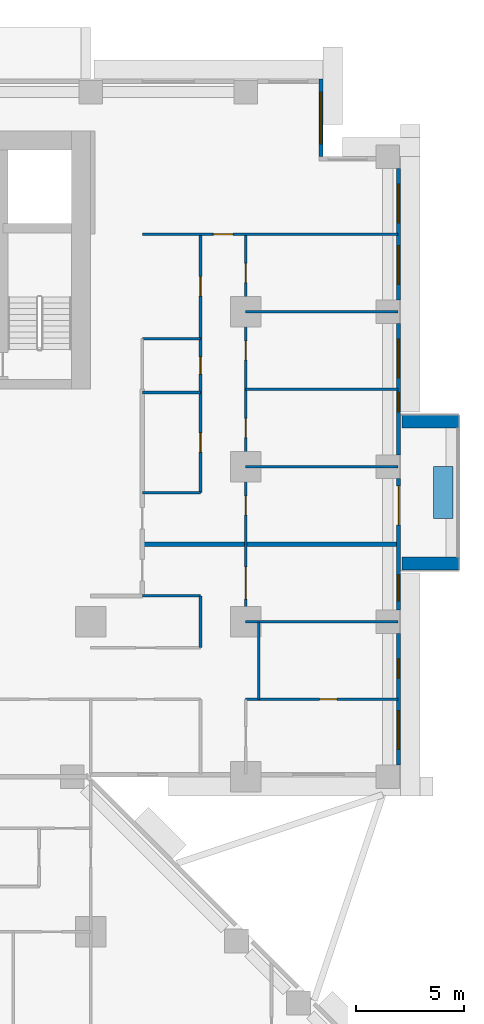
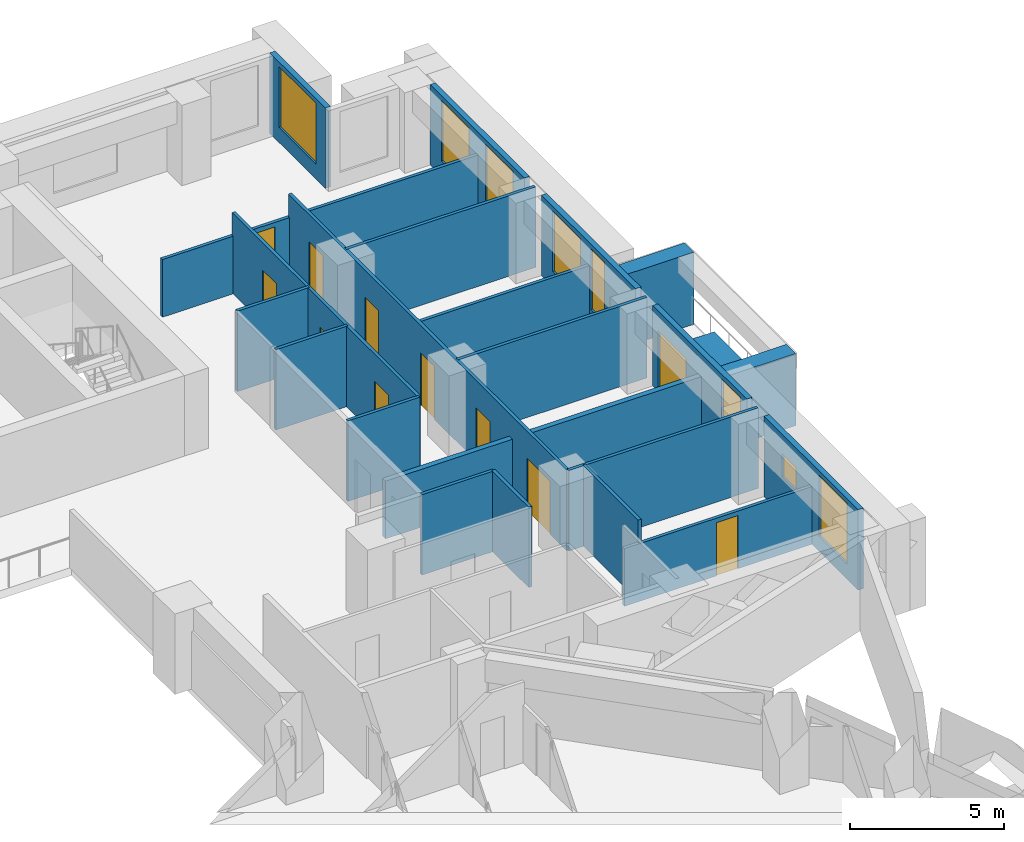
# One storey, part 12 of 17: 23 walls, 11 doors, 8 windows, 19 openings.
"""IFC4 building model written with IfcOpenShell, lengths in metres."""

from ifc_helpers import new_model, si_unit, direction, frame, frame_2d, origin, place, context, subcontext, project, spatial, rectangle, extrude, material, layer, layer_set, type_object, element, fill, save


model = new_model("IFC4")

# Units and contexts
model_context = context("Model", 3, precision=1e-05, world=origin(), true_north=direction((0.0, 1.0)))
body_context = subcontext(model_context, "Body", "Model", "MODEL_VIEW")
ifc_project = project(units=[si_unit("LENGTHUNIT", "METRE"), si_unit("AREAUNIT", "SQUARE_METRE"), si_unit("VOLUMEUNIT", "CUBIC_METRE"), si_unit("PLANEANGLEUNIT", "RADIAN"), si_unit("MASSUNIT", "GRAM", prefix="KILO")], contexts=[model_context])

# Site, building, storey
site_placement = place(None, origin())
site = spatial("IfcSite", under=ifc_project, at=site_placement, CompositionType="ELEMENT")
building_placement = place(site_placement, origin())
building = spatial("IfcBuilding", under=site, at=building_placement, Name="Saffron Iwan Residences", CompositionType="ELEMENT")
storey_placement = place(building_placement, frame((0.0, 0.0, 34.0)))
storey = spatial("IfcBuildingStorey", under=building, at=storey_placement, Name="L07", CompositionType="ELEMENT", Elevation=34.0)

# Walls
ifc_material_1 = material(Name="Concrete C50/60 white painted", Category="concrete")
ifc_layer_1 = layer(ifc_material_1, 0.60009765625)
ifc_layer_set_1 = layer_set([ifc_layer_1], Name="Concrete C50/60 white painted")
wall_type_1 = type_object("IfcWallType", Name="BALCONY FIN 600", PredefinedType="SOLIDWALL", material=ifc_layer_set_1)
for number, where, z_axis, x_axis, name in (
    (1, (86.449951171875, 57.89990234375, 0.0), (0.0, 0.0, 1.0), (1.0, 0.0, 0.0), "Balcony fin L07 F2-0a"),
    (2, (86.449951171875, 64.5, 0.0), (0.0, 0.0, 1.0), (1.0, 0.0, 0.0), "Balcony fin L07 F2-0b"),
):
    element("IfcWall", number, at=place(storey_placement, frame(where, z_axis=z_axis, x_axis=x_axis)), inside=storey, type_object=wall_type_1, Name=name, PredefinedType="SOLIDWALL", context=body_context, shape_type="SweptSolid", body=[
        extrude(rectangle(XDim=2.650146484375, YDim=0.60009765625, at=frame_2d((1.3251953125, 0.0))), origin(), (0.0, 0.0, 1.0), 2.85009765625),
    ])
ifc_material_2 = material(Name="Concrete C35/45 white painted", Category="concrete")
ifc_layer_2 = layer(ifc_material_2, 0.14990234375)
ifc_layer_set_2 = layer_set([ifc_layer_2], Name="Concrete C35/45 white painted")
wall_type_2 = type_object("IfcWallType", Name="BALCONY PLANTER", PredefinedType="SOLIDWALL", material=ifc_layer_set_2)
wall_1_placement = place(storey_placement, frame((88.375, 60.0, 0.0), z_axis=(0.0, 0.0, 1.0), x_axis=(0.0, 1.0, 0.0)))
element("IfcWall", 3, at=wall_1_placement, inside=storey, type_object=wall_type_2, Name="PLANTER L07 F2-0", PredefinedType="SOLIDWALL", context=body_context, shape_type="SweptSolid", body=[
    extrude(rectangle(XDim=2.39990234375, YDim=0.89990234375, at=frame_2d((1.199951171875, 0.0))), origin(), (0.0, 0.0, 1.0), 0.89990234375),
])

# Wall, openings, windows
ifc_material_3 = material(Name="Concrete C40/50", Category="concrete")
ifc_layer_3 = layer(ifc_material_3, 0.199951171875)
ifc_layer_set_3 = layer_set([ifc_layer_3], Name="Concrete C40/50")
wall_type_3 = type_object("IfcWallType", Name="EXTERNAL WALL 200", PredefinedType="SOLIDWALL", material=ifc_layer_set_3)
wall_2_placement = place(storey_placement, frame((86.300048828125, 48.550048828125, 0.0), z_axis=(0.0, 0.0, 1.0), x_axis=(0.0, 1.0, 0.0)))
wall_2 = element("IfcWall", 4, at=wall_2_placement, inside=storey, type_object=wall_type_3, Name="External wall L07 F2.0", PredefinedType="SOLIDWALL", context=body_context, shape_type="SweptSolid", body=[
    extrude(rectangle(XDim=6.099853515625, YDim=0.199951171875, at=frame_2d((3.0498046875, 0.0))), origin(), (0.0, 0.0, 1.0), 3.179931640625),
])
opening_1_placement = place(wall_2_placement, frame((0.72509765625, 0.0, 0.60009765625)))
opening_1 = element("IfcOpeningElement", 5, at=opening_1_placement, cuts=wall_2, Name="Opening W8", PredefinedType="OPENING", context=body_context, shape_type="SweptSolid", body=[
    extrude(rectangle(XDim=1.800048828125, YDim=2.39990234375, at=frame_2d((0.89990234375, 1.199951171875))), frame((0.0, 0.10986328125, 0.0), z_axis=(0.0, -1.0, 0.0), x_axis=(1.0, 0.0, 0.0)), (0.0, 0.0, 1.0), 0.219970703125),
])
opening_2_placement = place(wall_2_placement, frame((4.02490234375, 0.0, 1.5)))
opening_2 = element("IfcOpeningElement", 6, at=opening_2_placement, cuts=wall_2, Name="Opening W6", PredefinedType="OPENING", context=body_context, shape_type="SweptSolid", body=[
    extrude(rectangle(XDim=0.89990234375, YDim=0.89990234375, at=frame_2d((0.449951171875, 0.449951171875))), frame((0.0, 0.10986328125, 0.0), z_axis=(0.0, -1.0, 0.0), x_axis=(1.0, 0.0, 0.0)), (0.0, 0.0, 1.0), 0.219970703125),
])
ifc_material_4 = material(Name="Clear glass, laminated double glazed", Category="glass")
window_type_1 = type_object("IfcWindowType", Name="WINDOW 1800 x 2400", PartitioningType="DOUBLE_PANEL_VERTICAL", PredefinedType="WINDOW", material=ifc_material_4)
window_1_placement = place(opening_1_placement, origin())
window_1 = element("IfcWindow", 7, at=window_1_placement, inside=storey, type_object=window_type_1, Name="Window L07 F2.0", OverallHeight=2.39990234375, OverallWidth=1.800048828125, PartitioningType="DOUBLE_PANEL_VERTICAL", PredefinedType="WINDOW", context=body_context, shape_type="SweptSolid", body=[
    extrude(rectangle(XDim=1.800048828125, YDim=2.39990234375, at=frame_2d((0.89990234375, 1.199951171875))), frame((0.0, 0.030029296875, 0.0), z_axis=(0.0, -1.0, 0.0), x_axis=(1.0, 0.0, 0.0)), (0.0, 0.0, 1.0), 0.06005859375),
])
fill(opening_1, window_1)
window_type_2 = type_object("IfcWindowType", Name="WINDOW 900 x 900 BATH", PartitioningType="SINGLE_PANEL", PredefinedType="WINDOW", material=ifc_material_4)
window_2_placement = place(opening_2_placement, origin())
window_2 = element("IfcWindow", 8, at=window_2_placement, inside=storey, type_object=window_type_2, Name="Window L07 F2.1", OverallHeight=0.89990234375, OverallWidth=0.89990234375, PartitioningType="SINGLE_PANEL", PredefinedType="WINDOW", context=body_context, shape_type="SweptSolid", body=[
    extrude(rectangle(XDim=0.89990234375, YDim=0.89990234375, at=frame_2d((0.449951171875, 0.449951171875))), frame((0.0, 0.030029296875, 0.0), z_axis=(0.0, -1.0, 0.0), x_axis=(1.0, 0.0, 0.0)), (0.0, 0.0, 1.0), 0.06005859375),
])
fill(opening_2, window_2)

# Wall, openings, door, window
wall_3_placement = place(storey_placement, frame((86.300048828125, 55.75, 0.0), z_axis=(0.0, 0.0, 1.0), x_axis=(0.0, 1.0, 0.0)))
wall_3 = element("IfcWall", 9, at=wall_3_placement, inside=storey, type_object=wall_type_3, Name="External wall L07 F2.1", PredefinedType="SOLIDWALL", context=body_context, shape_type="SweptSolid", body=[
    extrude(rectangle(XDim=6.10009765625, YDim=0.199951171875, at=frame_2d((3.050048828125, 0.0))), origin(), (0.0, 0.0, 1.0), 3.179931640625),
])
opening_3_placement = place(wall_3_placement, frame((3.949951171875, 0.0, 0.0)))
opening_3 = element("IfcOpeningElement", 10, at=opening_3_placement, cuts=wall_3, Name="Opening BD1", PredefinedType="OPENING", context=body_context, shape_type="SweptSolid", body=[
    extrude(rectangle(XDim=1.800048828125, YDim=2.39990234375, at=frame_2d((0.89990234375, 1.199951171875))), frame((0.0, 0.10986328125, 0.0), z_axis=(0.0, -1.0, 0.0), x_axis=(1.0, 0.0, 0.0)), (0.0, 0.0, 1.0), 0.219970703125),
])
opening_4_placement = place(wall_3_placement, frame((0.425048828125, 0.0, 0.60009765625)))
opening_4 = element("IfcOpeningElement", 11, at=opening_4_placement, cuts=wall_3, Name="Opening W3", PredefinedType="OPENING", context=body_context, shape_type="SweptSolid", body=[
    extrude(rectangle(XDim=1.199951171875, YDim=2.39990234375, at=frame_2d((0.60009765625, 1.199951171875))), frame((0.0, 0.10986328125, 0.0), z_axis=(0.0, -1.0, 0.0), x_axis=(1.0, 0.0, 0.0)), (0.0, 0.0, 1.0), 0.219970703125),
])
door_type_1 = type_object("IfcDoorType", Name="BALCONY DOOR 1800 x 2400", OperationType="DOUBLE_DOOR_SLIDING", PredefinedType="DOOR", material=ifc_material_4)
door_1_placement = place(opening_3_placement, origin())
door_1 = element("IfcDoor", 12, at=door_1_placement, inside=storey, type_object=door_type_1, Name="Balcony door L07 F2.0", OperationType="DOUBLE_DOOR_SLIDING", OverallHeight=2.39990234375, OverallWidth=1.800048828125, PredefinedType="DOOR", context=body_context, shape_type="SweptSolid", body=[
    extrude(rectangle(XDim=1.800048828125, YDim=2.39990234375, at=frame_2d((0.89990234375, 1.199951171875))), frame((0.0, 0.02490234375, 0.0), z_axis=(0.0, -1.0, 0.0), x_axis=(1.0, 0.0, 0.0)), (0.0, 0.0, 1.0), 0.050048828125),
])
fill(opening_3, door_1)
window_type_3 = type_object("IfcWindowType", Name="WINDOW 1200 x 2400", PartitioningType="SINGLE_PANEL", PredefinedType="WINDOW", material=ifc_material_4)
window_3_placement = place(opening_4_placement, origin())
window_3 = element("IfcWindow", 13, at=window_3_placement, inside=storey, type_object=window_type_3, Name="Window L07 F2.1", OverallHeight=2.39990234375, OverallWidth=1.199951171875, PartitioningType="SINGLE_PANEL", PredefinedType="WINDOW", context=body_context, shape_type="SweptSolid", body=[
    extrude(rectangle(XDim=1.199951171875, YDim=2.39990234375, at=frame_2d((0.60009765625, 1.199951171875))), frame((0.0, 0.030029296875, 0.0), z_axis=(0.0, -1.0, 0.0), x_axis=(1.0, 0.0, 0.0)), (0.0, 0.0, 1.0), 0.06005859375),
])
fill(opening_4, window_3)

# Wall, openings, windows
wall_4_placement = place(storey_placement, frame((86.300048828125, 62.949951171875, 0.0), z_axis=(0.0, 0.0, 1.0), x_axis=(0.0, 1.0, 0.0)))
wall_4 = element("IfcWall", 14, at=wall_4_placement, inside=storey, type_object=wall_type_3, Name="External wall L07 F2.2", PredefinedType="SOLIDWALL", context=body_context, shape_type="SweptSolid", body=[
    extrude(rectangle(XDim=6.10009765625, YDim=0.199951171875, at=frame_2d((3.050048828125, 0.0))), origin(), (0.0, 0.0, 1.0), 3.179931640625),
])
opening_5_placement = place(wall_4_placement, frame((2.0, 0.0, 0.60009765625)))
opening_5 = element("IfcOpeningElement", 15, at=opening_5_placement, cuts=wall_4, Name="Opening W10", PredefinedType="OPENING", context=body_context, shape_type="SweptSolid", body=[
    extrude(rectangle(XDim=0.89990234375, YDim=2.39990234375, at=frame_2d((0.449951171875, 1.199951171875))), frame((0.0, 0.10986328125, 0.0), z_axis=(0.0, -1.0, 0.0), x_axis=(1.0, 0.0, 0.0)), (0.0, 0.0, 1.0), 0.219970703125),
])
opening_6_placement = place(wall_4_placement, frame((3.574951171875, 0.0, 0.60009765625)))
opening_6 = element("IfcOpeningElement", 16, at=opening_6_placement, cuts=wall_4, Name="Opening W8", PredefinedType="OPENING", context=body_context, shape_type="SweptSolid", body=[
    extrude(rectangle(XDim=1.800048828125, YDim=2.39990234375, at=frame_2d((0.89990234375, 1.199951171875))), frame((0.0, 0.10986328125, 0.0), z_axis=(0.0, -1.0, 0.0), x_axis=(1.0, 0.0, 0.0)), (0.0, 0.0, 1.0), 0.219970703125),
])
window_4_placement = place(opening_6_placement, origin())
window_4 = element("IfcWindow", 17, at=window_4_placement, inside=storey, type_object=window_type_1, Name="Window L07 F2.1", OverallHeight=2.39990234375, OverallWidth=1.800048828125, PartitioningType="DOUBLE_PANEL_VERTICAL", PredefinedType="WINDOW", context=body_context, shape_type="SweptSolid", body=[
    extrude(rectangle(XDim=1.800048828125, YDim=2.39990234375, at=frame_2d((0.89990234375, 1.199951171875))), frame((0.0, 0.030029296875, 0.0), z_axis=(0.0, -1.0, 0.0), x_axis=(1.0, 0.0, 0.0)), (0.0, 0.0, 1.0), 0.06005859375),
])
fill(opening_6, window_4)
window_type_4 = type_object("IfcWindowType", Name="WINDOW 900 x 2400", PartitioningType="SINGLE_PANEL", PredefinedType="WINDOW", material=ifc_material_4)
window_5_placement = place(opening_5_placement, origin())
window_5 = element("IfcWindow", 18, at=window_5_placement, inside=storey, type_object=window_type_4, Name="Window L07 F2.0", OverallHeight=2.39990234375, OverallWidth=0.89990234375, PartitioningType="SINGLE_PANEL", PredefinedType="WINDOW", context=body_context, shape_type="SweptSolid", body=[
    extrude(rectangle(XDim=0.89990234375, YDim=2.39990234375, at=frame_2d((0.449951171875, 1.199951171875))), frame((0.0, 0.030029296875, 0.0), z_axis=(0.0, -1.0, 0.0), x_axis=(1.0, 0.0, 0.0)), (0.0, 0.0, 1.0), 0.06005859375),
])
fill(opening_5, window_5)

wall_5_placement = place(storey_placement, frame((86.300048828125, 70.14990234375, 0.0), z_axis=(0.0, 0.0, 1.0), x_axis=(0.0, 1.0, 0.0)))
wall_5 = element("IfcWall", 19, at=wall_5_placement, inside=storey, type_object=wall_type_3, Name="External wall L07 F2.3", PredefinedType="SOLIDWALL", context=body_context, shape_type="SweptSolid", body=[
    extrude(rectangle(XDim=6.10009765625, YDim=0.199951171875, at=frame_2d((3.050048828125, 0.0))), origin(), (0.0, 0.0, 1.0), 3.179931640625),
])
opening_7_placement = place(wall_5_placement, frame((0.72509765625, 0.0, 0.60009765625)))
opening_7 = element("IfcOpeningElement", 20, at=opening_7_placement, cuts=wall_5, Name="Opening W8", PredefinedType="OPENING", context=body_context, shape_type="SweptSolid", body=[
    extrude(rectangle(XDim=1.800048828125, YDim=2.39990234375, at=frame_2d((0.89990234375, 1.199951171875))), frame((0.0, 0.10986328125, 0.0), z_axis=(0.0, -1.0, 0.0), x_axis=(1.0, 0.0, 0.0)), (0.0, 0.0, 1.0), 0.219970703125),
])
opening_8_placement = place(wall_5_placement, frame((3.574951171875, 0.0, 0.60009765625)))
opening_8 = element("IfcOpeningElement", 21, at=opening_8_placement, cuts=wall_5, Name="Opening W8", PredefinedType="OPENING", context=body_context, shape_type="SweptSolid", body=[
    extrude(rectangle(XDim=1.800048828125, YDim=2.39990234375, at=frame_2d((0.89990234375, 1.199951171875))), frame((0.0, 0.10986328125, 0.0), z_axis=(0.0, -1.0, 0.0), x_axis=(1.0, 0.0, 0.0)), (0.0, 0.0, 1.0), 0.219970703125),
])
window_6_placement = place(opening_7_placement, origin())
window_6 = element("IfcWindow", 22, at=window_6_placement, inside=storey, type_object=window_type_1, Name="Window L07 F2.0", OverallHeight=2.39990234375, OverallWidth=1.800048828125, PartitioningType="DOUBLE_PANEL_VERTICAL", PredefinedType="WINDOW", context=body_context, shape_type="SweptSolid", body=[
    extrude(rectangle(XDim=1.800048828125, YDim=2.39990234375, at=frame_2d((0.89990234375, 1.199951171875))), frame((0.0, 0.030029296875, 0.0), z_axis=(0.0, -1.0, 0.0), x_axis=(1.0, 0.0, 0.0)), (0.0, 0.0, 1.0), 0.06005859375),
])
fill(opening_7, window_6)
window_7_placement = place(opening_8_placement, origin())
window_7 = element("IfcWindow", 23, at=window_7_placement, inside=storey, type_object=window_type_1, Name="Window L07 F2.1", OverallHeight=2.39990234375, OverallWidth=1.800048828125, PartitioningType="DOUBLE_PANEL_VERTICAL", PredefinedType="WINDOW", context=body_context, shape_type="SweptSolid", body=[
    extrude(rectangle(XDim=1.800048828125, YDim=2.39990234375, at=frame_2d((0.89990234375, 1.199951171875))), frame((0.0, 0.030029296875, 0.0), z_axis=(0.0, -1.0, 0.0), x_axis=(1.0, 0.0, 0.0)), (0.0, 0.0, 1.0), 0.06005859375),
])
fill(opening_8, window_7)

# Wall, opening, window
wall_6_placement = place(storey_placement, frame((82.699951171875, 76.800048828125, 0.0), z_axis=(0.0, 0.0, 1.0), x_axis=(0.0, 1.0, 0.0)))
wall_6 = element("IfcWall", 24, at=wall_6_placement, inside=storey, type_object=wall_type_3, Name="External wall L07 F4.0", PredefinedType="SOLIDWALL", context=body_context, shape_type="SweptSolid", body=[
    extrude(rectangle(XDim=3.599853515625, YDim=0.199951171875, at=frame_2d((1.7998046875, 0.0))), origin(), (0.0, 0.0, 1.0), 3.179931640625),
])
opening_9_placement = place(wall_6_placement, frame((0.60009765625, 0.0, 0.60009765625)))
opening_9 = element("IfcOpeningElement", 25, at=opening_9_placement, cuts=wall_6, Name="Opening W1", PredefinedType="OPENING", context=body_context, shape_type="SweptSolid", body=[
    extrude(rectangle(XDim=2.39990234375, YDim=2.39990234375, at=frame_2d((1.199951171875, 1.199951171875))), frame((0.0, 0.10986328125, 0.0), z_axis=(0.0, -1.0, 0.0), x_axis=(1.0, 0.0, 0.0)), (0.0, 0.0, 1.0), 0.219970703125),
])
window_type_5 = type_object("IfcWindowType", Name="WINDOW 2400 x 2400", PartitioningType="DOUBLE_PANEL_VERTICAL", PredefinedType="WINDOW", material=ifc_material_4)
window_8_placement = place(opening_9_placement, origin())
window_8 = element("IfcWindow", 26, at=window_8_placement, inside=storey, type_object=window_type_5, Name="Window L07 F4.0", OverallHeight=2.39990234375, OverallWidth=2.39990234375, PartitioningType="DOUBLE_PANEL_VERTICAL", PredefinedType="WINDOW", context=body_context, shape_type="SweptSolid", body=[
    extrude(rectangle(XDim=2.39990234375, YDim=2.39990234375, at=frame_2d((1.199951171875, 1.199951171875))), frame((0.0, 0.030029296875, 0.0), z_axis=(0.0, -1.0, 0.0), x_axis=(1.0, 0.0, 0.0)), (0.0, 0.0, 1.0), 0.06005859375),
])
fill(opening_9, window_8)

# Wall
ifc_material_5 = material(Name="Fire-rated gypsum board wall")
ifc_layer_4 = layer(ifc_material_5, 0.199951171875)
ifc_layer_set_4 = layer_set([ifc_layer_4], Name="Fire-rated gypsum board wall")
wall_type_4 = type_object("IfcWallType", Name="Flat demising wall 200", PredefinedType="SOLIDWALL", material=ifc_layer_set_4)
wall_7_placement = place(storey_placement, frame((74.39990234375, 58.800048828125, 0.0), z_axis=(0.0, 0.0, 1.0), x_axis=(1.0, 0.0, 0.0)))
element("IfcWall", 27, at=wall_7_placement, inside=storey, type_object=wall_type_4, Name="W-L07-DEMISE-h58.8-74.4", PredefinedType="SOLIDWALL", context=body_context, shape_type="SweptSolid", body=[
    extrude(rectangle(XDim=11.875, YDim=0.199951171875, at=frame_2d((5.9375, 0.0))), origin(), (0.0, 0.0, 1.0), 2.280029296875),
])

# Wall, opening, door
ifc_material_6 = material(Name="Gypsum board partition")
ifc_layer_5 = layer(ifc_material_6, 0.1201171875)
ifc_layer_set_5 = layer_set([ifc_layer_5], Name="Gypsum board partition")
wall_type_5 = type_object("IfcWallType", Name="Flat partition 120", PredefinedType="PARTITIONING", material=ifc_layer_set_5)
wall_8_placement = place(storey_placement, frame((79.199951171875, 51.60009765625, 0.0), z_axis=(0.0, 0.0, 1.0), x_axis=(1.0, 0.0, 0.0)))
wall_8 = element("IfcWall", 28, at=wall_8_placement, inside=storey, type_object=wall_type_5, Name="W-L07-PART-h51.6-79.2", PredefinedType="PARTITIONING", context=body_context, shape_type="SweptSolid", body=[
    extrude(rectangle(XDim=7.074951171875, YDim=0.1201171875, at=frame_2d((3.53759765625, 0.0))), origin(), (0.0, 0.0, 1.0), 2.280029296875),
])
opening_10_placement = place(wall_8_placement, frame((3.4375, 0.0, 0.0)))
opening_10 = element("IfcOpeningElement", 29, at=opening_10_placement, cuts=wall_8, Name="Opening FD3", PredefinedType="OPENING", context=body_context, shape_type="SweptSolid", body=[
    extrude(rectangle(XDim=0.800048828125, YDim=2.10009765625, at=frame_2d((0.39990234375, 1.050048828125))), frame((0.0, 0.070068359375, 0.0), z_axis=(0.0, -1.0, 0.0), x_axis=(1.0, 0.0, 0.0)), (0.0, 0.0, 1.0), 0.14013671875),
])
ifc_material_7 = material(Name="Timber door", Category="wood")
door_type_2 = type_object("IfcDoorType", Name="Bathroom door 800", OperationType="NOTDEFINED", PredefinedType="DOOR", material=ifc_material_7)
door_2_placement = place(opening_10_placement, origin())
door_2 = element("IfcDoor", 30, at=door_2_placement, inside=storey, type_object=door_type_2, Name="Door L07-023", OperationType="SINGLE_SWING_LEFT", OverallHeight=2.10009765625, OverallWidth=0.800048828125, PredefinedType="DOOR", context=body_context, shape_type="SweptSolid", body=[
    extrude(rectangle(XDim=0.800048828125, YDim=2.10009765625, at=frame_2d((0.39990234375, 1.050048828125))), frame((0.0, 0.02490234375, 0.0), z_axis=(0.0, -1.0, 0.0), x_axis=(1.0, 0.0, 0.0)), (0.0, 0.0, 1.0), 0.050048828125),
])
fill(opening_10, door_2)

# Walls
wall_9_placement = place(storey_placement, frame((79.199951171875, 55.199951171875, 0.0), z_axis=(0.0, 0.0, 1.0), x_axis=(1.0, 0.0, 0.0)))
element("IfcWall", 31, at=wall_9_placement, inside=storey, type_object=wall_type_5, Name="W-L07-PART-h55.2-79.2", PredefinedType="PARTITIONING", context=body_context, shape_type="SweptSolid", body=[
    extrude(rectangle(XDim=7.074951171875, YDim=0.1201171875, at=frame_2d((3.53759765625, 0.0))), origin(), (0.0, 0.0, 1.0), 3.179931640625),
])
for number, where, z_axis, x_axis, name in (
    (32, (74.39990234375, 56.39990234375, 0.0), (0.0, 0.0, 1.0), (1.0, 0.0, 0.0), "W-L07-PART-h56.4-74.4"),
    (33, (74.39990234375, 61.199951171875, 0.0), (0.0, 0.0, 1.0), (1.0, 0.0, 0.0), "W-L07-PART-h61.2-74.4"),
):
    element("IfcWall", number, at=place(storey_placement, frame(where, z_axis=z_axis, x_axis=x_axis)), inside=storey, type_object=wall_type_5, Name=name, PredefinedType="PARTITIONING", context=body_context, shape_type="SweptSolid", body=[
        extrude(rectangle(XDim=2.7001953125, YDim=0.1201171875, at=frame_2d((1.35009765625, 0.0))), origin(), (0.0, 0.0, 1.0), 3.179931640625),
    ])
wall_10_placement = place(storey_placement, frame((79.199951171875, 62.39990234375, 0.0), z_axis=(0.0, 0.0, 1.0), x_axis=(1.0, 0.0, 0.0)))
element("IfcWall", 34, at=wall_10_placement, inside=storey, type_object=wall_type_5, Name="W-L07-PART-h62.4-79.2", PredefinedType="PARTITIONING", context=body_context, shape_type="SweptSolid", body=[
    extrude(rectangle(XDim=7.074951171875, YDim=0.1201171875, at=frame_2d((3.53759765625, 0.0))), origin(), (0.0, 0.0, 1.0), 3.179931640625),
])
wall_11_placement = place(storey_placement, frame((74.39990234375, 65.85009765625, 0.0), z_axis=(0.0, 0.0, 1.0), x_axis=(1.0, 0.0, 0.0)))
element("IfcWall", 35, at=wall_11_placement, inside=storey, type_object=wall_type_5, Name="W-L07-PART-h65.85-74.4", PredefinedType="PARTITIONING", context=body_context, shape_type="SweptSolid", body=[
    extrude(rectangle(XDim=2.7001953125, YDim=0.1201171875, at=frame_2d((1.35009765625, 0.0))), origin(), (0.0, 0.0, 1.0), 3.179931640625),
])
wall_12_placement = place(storey_placement, frame((79.199951171875, 66.0, 0.0), z_axis=(0.0, 0.0, 1.0), x_axis=(1.0, 0.0, 0.0)))
element("IfcWall", 36, at=wall_12_placement, inside=storey, type_object=wall_type_5, Name="W-L07-PART-h66-79.2", PredefinedType="PARTITIONING", context=body_context, shape_type="SweptSolid", body=[
    extrude(rectangle(XDim=7.074951171875, YDim=0.1201171875, at=frame_2d((3.53759765625, 0.0))), origin(), (0.0, 0.0, 1.0), 2.280029296875),
])
wall_13_placement = place(storey_placement, frame((74.39990234375, 68.35009765625, 0.0), z_axis=(0.0, 0.0, 1.0), x_axis=(1.0, 0.0, 0.0)))
element("IfcWall", 37, at=wall_13_placement, inside=storey, type_object=wall_type_5, Name="W-L07-PART-h68.35-74.4", PredefinedType="PARTITIONING", context=body_context, shape_type="SweptSolid", body=[
    extrude(rectangle(XDim=2.7001953125, YDim=0.1201171875, at=frame_2d((1.35009765625, 0.0))), origin(), (0.0, 0.0, 1.0), 3.179931640625),
])
wall_14_placement = place(storey_placement, frame((79.199951171875, 69.60009765625, 0.0), z_axis=(0.0, 0.0, 1.0), x_axis=(1.0, 0.0, 0.0)))
element("IfcWall", 38, at=wall_14_placement, inside=storey, type_object=wall_type_5, Name="W-L07-PART-h69.6-79.2", PredefinedType="PARTITIONING", context=body_context, shape_type="SweptSolid", body=[
    extrude(rectangle(XDim=7.074951171875, YDim=0.1201171875, at=frame_2d((3.53759765625, 0.0))), origin(), (0.0, 0.0, 1.0), 3.179931640625),
])

# Wall, opening, door
wall_15_placement = place(storey_placement, frame((74.39990234375, 73.199951171875, 0.0), z_axis=(0.0, 0.0, 1.0), x_axis=(1.0, 0.0, 0.0)))
wall_15 = element("IfcWall", 39, at=wall_15_placement, inside=storey, type_object=wall_type_5, Name="W-L07-PART-h73.2-74.4", PredefinedType="PARTITIONING", context=body_context, shape_type="SweptSolid", body=[
    extrude(rectangle(XDim=11.875, YDim=0.1201171875, at=frame_2d((5.9375, 0.0))), origin(), (0.0, 0.0, 1.0), 2.280029296875),
])
opening_11_placement = place(wall_15_placement, frame((3.300048828125, 0.0, 0.0)))
opening_11 = element("IfcOpeningElement", 40, at=opening_11_placement, cuts=wall_15, Name="Opening FD2", PredefinedType="OPENING", context=body_context, shape_type="SweptSolid", body=[
    extrude(rectangle(XDim=0.89990234375, YDim=2.10009765625, at=frame_2d((0.449951171875, 1.050048828125))), frame((0.0, 0.070068359375, 0.0), z_axis=(0.0, -1.0, 0.0), x_axis=(1.0, 0.0, 0.0)), (0.0, 0.0, 1.0), 0.14013671875),
])
door_type_3 = type_object("IfcDoorType", Name="Flat door 900", OperationType="NOTDEFINED", PredefinedType="DOOR", material=ifc_material_7)
door_3_placement = place(opening_11_placement, origin())
door_3 = element("IfcDoor", 41, at=door_3_placement, inside=storey, type_object=door_type_3, Name="Door L07-040", OperationType="SINGLE_SWING_LEFT", OverallHeight=2.10009765625, OverallWidth=0.89990234375, PredefinedType="DOOR", context=body_context, shape_type="SweptSolid", body=[
    extrude(rectangle(XDim=0.89990234375, YDim=2.10009765625, at=frame_2d((0.449951171875, 1.050048828125))), frame((0.0, 0.02490234375, 0.0), z_axis=(0.0, -1.0, 0.0), x_axis=(1.0, 0.0, 0.0)), (0.0, 0.0, 1.0), 0.050048828125),
])
fill(opening_11, door_3)

# Wall
wall_16_placement = place(storey_placement, frame((77.10009765625, 54.0, 0.0), z_axis=(0.0, 0.0, 1.0), x_axis=(0.0, 1.0, 0.0)))
element("IfcWall", 42, at=wall_16_placement, inside=storey, type_object=wall_type_5, Name="W-L07-PART-v77.1-54", PredefinedType="PARTITIONING", context=body_context, shape_type="SweptSolid", body=[
    extrude(rectangle(XDim=2.39990234375, YDim=0.1201171875, at=frame_2d((1.199951171875, 0.0))), origin(), (0.0, 0.0, 1.0), 3.179931640625),
])

# Wall, openings, doors
wall_17_placement = place(storey_placement, frame((77.10009765625, 61.199951171875, 0.0), z_axis=(0.0, 0.0, 1.0), x_axis=(0.0, 1.0, 0.0)))
wall_17 = element("IfcWall", 43, at=wall_17_placement, inside=storey, type_object=wall_type_5, Name="W-L07-PART-v77.1-61.2", PredefinedType="PARTITIONING", context=body_context, shape_type="SweptSolid", body=[
    extrude(rectangle(XDim=12.0, YDim=0.1201171875, at=frame_2d((6.0, 0.0))), origin(), (0.0, 0.0, 1.0), 3.179931640625),
])
opening_12_placement = place(wall_17_placement, frame((1.875, 0.0, 0.0)))
opening_12 = element("IfcOpeningElement", 44, at=opening_12_placement, cuts=wall_17, Name="Opening FD2", PredefinedType="OPENING", context=body_context, shape_type="SweptSolid", body=[
    extrude(rectangle(XDim=0.89990234375, YDim=2.10009765625, at=frame_2d((0.449951171875, 1.050048828125))), frame((0.0, 0.070068359375, 0.0), z_axis=(0.0, -1.0, 0.0), x_axis=(1.0, 0.0, 0.0)), (0.0, 0.0, 1.0), 0.14013671875),
])
opening_13_placement = place(wall_17_placement, frame((5.5, 0.0, 0.0)))
opening_13 = element("IfcOpeningElement", 45, at=opening_13_placement, cuts=wall_17, Name="Opening FD3", PredefinedType="OPENING", context=body_context, shape_type="SweptSolid", body=[
    extrude(rectangle(XDim=0.800048828125, YDim=2.10009765625, at=frame_2d((0.39990234375, 1.050048828125))), frame((0.0, 0.070068359375, 0.0), z_axis=(0.0, -1.0, 0.0), x_axis=(1.0, 0.0, 0.0)), (0.0, 0.0, 1.0), 0.14013671875),
])
opening_14_placement = place(wall_17_placement, frame((9.125, 0.0, 0.0)))
opening_14 = element("IfcOpeningElement", 46, at=opening_14_placement, cuts=wall_17, Name="Opening FD2", PredefinedType="OPENING", context=body_context, shape_type="SweptSolid", body=[
    extrude(rectangle(XDim=0.89990234375, YDim=2.10009765625, at=frame_2d((0.449951171875, 1.050048828125))), frame((0.0, 0.070068359375, 0.0), z_axis=(0.0, -1.0, 0.0), x_axis=(1.0, 0.0, 0.0)), (0.0, 0.0, 1.0), 0.14013671875),
])
door_4_placement = place(opening_13_placement, origin())
door_4 = element("IfcDoor", 47, at=door_4_placement, inside=storey, type_object=door_type_2, Name="Door L07-042", OperationType="SINGLE_SWING_RIGHT", OverallHeight=2.10009765625, OverallWidth=0.800048828125, PredefinedType="DOOR", context=body_context, shape_type="SweptSolid", body=[
    extrude(rectangle(XDim=0.800048828125, YDim=2.10009765625, at=frame_2d((0.39990234375, 1.050048828125))), frame((0.0, 0.02490234375, 0.0), z_axis=(0.0, -1.0, 0.0), x_axis=(1.0, 0.0, 0.0)), (0.0, 0.0, 1.0), 0.050048828125),
])
fill(opening_13, door_4)
door_5_placement = place(opening_12_placement, origin())
door_5 = element("IfcDoor", 48, at=door_5_placement, inside=storey, type_object=door_type_3, Name="Door L07-041", OperationType="SINGLE_SWING_LEFT", OverallHeight=2.10009765625, OverallWidth=0.89990234375, PredefinedType="DOOR", context=body_context, shape_type="SweptSolid", body=[
    extrude(rectangle(XDim=0.89990234375, YDim=2.10009765625, at=frame_2d((0.449951171875, 1.050048828125))), frame((0.0, 0.02490234375, 0.0), z_axis=(0.0, -1.0, 0.0), x_axis=(1.0, 0.0, 0.0)), (0.0, 0.0, 1.0), 0.050048828125),
])
fill(opening_12, door_5)
door_6_placement = place(opening_14_placement, origin())
door_6 = element("IfcDoor", 49, at=door_6_placement, inside=storey, type_object=door_type_3, Name="Door L07-043", OperationType="SINGLE_SWING_LEFT", OverallHeight=2.10009765625, OverallWidth=0.89990234375, PredefinedType="DOOR", context=body_context, shape_type="SweptSolid", body=[
    extrude(rectangle(XDim=0.89990234375, YDim=2.10009765625, at=frame_2d((0.449951171875, 1.050048828125))), frame((0.0, 0.02490234375, 0.0), z_axis=(0.0, -1.0, 0.0), x_axis=(1.0, 0.0, 0.0)), (0.0, 0.0, 1.0), 0.050048828125),
])
fill(opening_14, door_6)

wall_18_placement = place(storey_placement, frame((79.199951171875, 55.199951171875, 0.0), z_axis=(0.0, 0.0, 1.0), x_axis=(0.0, 1.0, 0.0)))
wall_18 = element("IfcWall", 50, at=wall_18_placement, inside=storey, type_object=wall_type_5, Name="W-L07-PART-v79.2-55.2", PredefinedType="PARTITIONING", context=body_context, shape_type="SweptSolid", body=[
    extrude(rectangle(XDim=18.0, YDim=0.1201171875, at=frame_2d((9.0, 0.0))), origin(), (0.0, 0.0, 1.0), 3.179931640625),
])
opening_15_placement = place(wall_18_placement, frame((1.050048828125, 0.0, 0.0)))
opening_15 = element("IfcOpeningElement", 51, at=opening_15_placement, cuts=wall_18, Name="Opening FD4", PredefinedType="OPENING", context=body_context, shape_type="SweptSolid", body=[
    extrude(rectangle(XDim=1.5, YDim=2.10009765625, at=frame_2d((0.75, 1.050048828125))), frame((0.0, 0.070068359375, 0.0), z_axis=(0.0, -1.0, 0.0), x_axis=(1.0, 0.0, 0.0)), (0.0, 0.0, 1.0), 0.14013671875),
])
opening_16_placement = place(wall_18_placement, frame((4.949951171875, 0.0, 0.0)))
opening_16 = element("IfcOpeningElement", 52, at=opening_16_placement, cuts=wall_18, Name="Opening FD2", PredefinedType="OPENING", context=body_context, shape_type="SweptSolid", body=[
    extrude(rectangle(XDim=0.89990234375, YDim=2.10009765625, at=frame_2d((0.449951171875, 1.050048828125))), frame((0.0, 0.070068359375, 0.0), z_axis=(0.0, -1.0, 0.0), x_axis=(1.0, 0.0, 0.0)), (0.0, 0.0, 1.0), 0.14013671875),
])
opening_17_placement = place(wall_18_placement, frame((8.550048828125, 0.0, 0.0)))
opening_17 = element("IfcOpeningElement", 53, at=opening_17_placement, cuts=wall_18, Name="Opening FD2", PredefinedType="OPENING", context=body_context, shape_type="SweptSolid", body=[
    extrude(rectangle(XDim=0.89990234375, YDim=2.10009765625, at=frame_2d((0.449951171875, 1.050048828125))), frame((0.0, 0.070068359375, 0.0), z_axis=(0.0, -1.0, 0.0), x_axis=(1.0, 0.0, 0.0)), (0.0, 0.0, 1.0), 0.14013671875),
])
opening_18_placement = place(wall_18_placement, frame((12.14990234375, 0.0, 0.0)))
opening_18 = element("IfcOpeningElement", 54, at=opening_18_placement, cuts=wall_18, Name="Opening FD2", PredefinedType="OPENING", context=body_context, shape_type="SweptSolid", body=[
    extrude(rectangle(XDim=0.89990234375, YDim=2.10009765625, at=frame_2d((0.449951171875, 1.050048828125))), frame((0.0, 0.070068359375, 0.0), z_axis=(0.0, -1.0, 0.0), x_axis=(1.0, 0.0, 0.0)), (0.0, 0.0, 1.0), 0.14013671875),
])
opening_19_placement = place(wall_18_placement, frame((15.75, 0.0, 0.0)))
opening_19 = element("IfcOpeningElement", 55, at=opening_19_placement, cuts=wall_18, Name="Opening FD2", PredefinedType="OPENING", context=body_context, shape_type="SweptSolid", body=[
    extrude(rectangle(XDim=0.89990234375, YDim=2.10009765625, at=frame_2d((0.449951171875, 1.050048828125))), frame((0.0, 0.070068359375, 0.0), z_axis=(0.0, -1.0, 0.0), x_axis=(1.0, 0.0, 0.0)), (0.0, 0.0, 1.0), 0.14013671875),
])
door_type_4 = type_object("IfcDoorType", Name="Double door 1500", OperationType="NOTDEFINED", PredefinedType="DOOR", material=ifc_material_7)
door_7_placement = place(opening_15_placement, origin())
door_7 = element("IfcDoor", 56, at=door_7_placement, inside=storey, type_object=door_type_4, Name="Door L07-024", OperationType="SINGLE_SWING_RIGHT", OverallHeight=2.10009765625, OverallWidth=1.5, PredefinedType="DOOR", context=body_context, shape_type="SweptSolid", body=[
    extrude(rectangle(XDim=1.5, YDim=2.10009765625, at=frame_2d((0.75, 1.050048828125))), frame((0.0, 0.02490234375, 0.0), z_axis=(0.0, -1.0, 0.0), x_axis=(1.0, 0.0, 0.0)), (0.0, 0.0, 1.0), 0.050048828125),
])
fill(opening_15, door_7)
door_8_placement = place(opening_16_placement, origin())
door_8 = element("IfcDoor", 57, at=door_8_placement, inside=storey, type_object=door_type_3, Name="Door L07-036", OperationType="SINGLE_SWING_RIGHT", OverallHeight=2.10009765625, OverallWidth=0.89990234375, PredefinedType="DOOR", context=body_context, shape_type="SweptSolid", body=[
    extrude(rectangle(XDim=0.89990234375, YDim=2.10009765625, at=frame_2d((0.449951171875, 1.050048828125))), frame((0.0, 0.02490234375, 0.0), z_axis=(0.0, -1.0, 0.0), x_axis=(1.0, 0.0, 0.0)), (0.0, 0.0, 1.0), 0.050048828125),
])
fill(opening_16, door_8)
door_9_placement = place(opening_17_placement, origin())
door_9 = element("IfcDoor", 58, at=door_9_placement, inside=storey, type_object=door_type_3, Name="Door L07-037", OperationType="SINGLE_SWING_LEFT", OverallHeight=2.10009765625, OverallWidth=0.89990234375, PredefinedType="DOOR", context=body_context, shape_type="SweptSolid", body=[
    extrude(rectangle(XDim=0.89990234375, YDim=2.10009765625, at=frame_2d((0.449951171875, 1.050048828125))), frame((0.0, 0.02490234375, 0.0), z_axis=(0.0, -1.0, 0.0), x_axis=(1.0, 0.0, 0.0)), (0.0, 0.0, 1.0), 0.050048828125),
])
fill(opening_17, door_9)
door_10_placement = place(opening_18_placement, origin())
door_10 = element("IfcDoor", 59, at=door_10_placement, inside=storey, type_object=door_type_3, Name="Door L07-038", OperationType="SINGLE_SWING_LEFT", OverallHeight=2.10009765625, OverallWidth=0.89990234375, PredefinedType="DOOR", context=body_context, shape_type="SweptSolid", body=[
    extrude(rectangle(XDim=0.89990234375, YDim=2.10009765625, at=frame_2d((0.449951171875, 1.050048828125))), frame((0.0, 0.02490234375, 0.0), z_axis=(0.0, -1.0, 0.0), x_axis=(1.0, 0.0, 0.0)), (0.0, 0.0, 1.0), 0.050048828125),
])
fill(opening_18, door_10)
door_11_placement = place(opening_19_placement, origin())
door_11 = element("IfcDoor", 60, at=door_11_placement, inside=storey, type_object=door_type_3, Name="Door L07-039", OperationType="SINGLE_SWING_RIGHT", OverallHeight=2.10009765625, OverallWidth=0.89990234375, PredefinedType="DOOR", context=body_context, shape_type="SweptSolid", body=[
    extrude(rectangle(XDim=0.89990234375, YDim=2.10009765625, at=frame_2d((0.449951171875, 1.050048828125))), frame((0.0, 0.02490234375, 0.0), z_axis=(0.0, -1.0, 0.0), x_axis=(1.0, 0.0, 0.0)), (0.0, 0.0, 1.0), 0.050048828125),
])
fill(opening_19, door_11)

# Wall
wall_19_placement = place(storey_placement, frame((79.800048828125, 51.60009765625, 0.0), z_axis=(0.0, 0.0, 1.0), x_axis=(0.0, 1.0, 0.0)))
element("IfcWall", 61, at=wall_19_placement, inside=storey, type_object=wall_type_5, Name="W-L07-PART-v79.8-51.6", PredefinedType="PARTITIONING", context=body_context, shape_type="SweptSolid", body=[
    extrude(rectangle(XDim=3.599853515625, YDim=0.1201171875, at=frame_2d((1.7998046875, 0.0))), origin(), (0.0, 0.0, 1.0), 3.179931640625),
])

save(model, "model.ifc")
